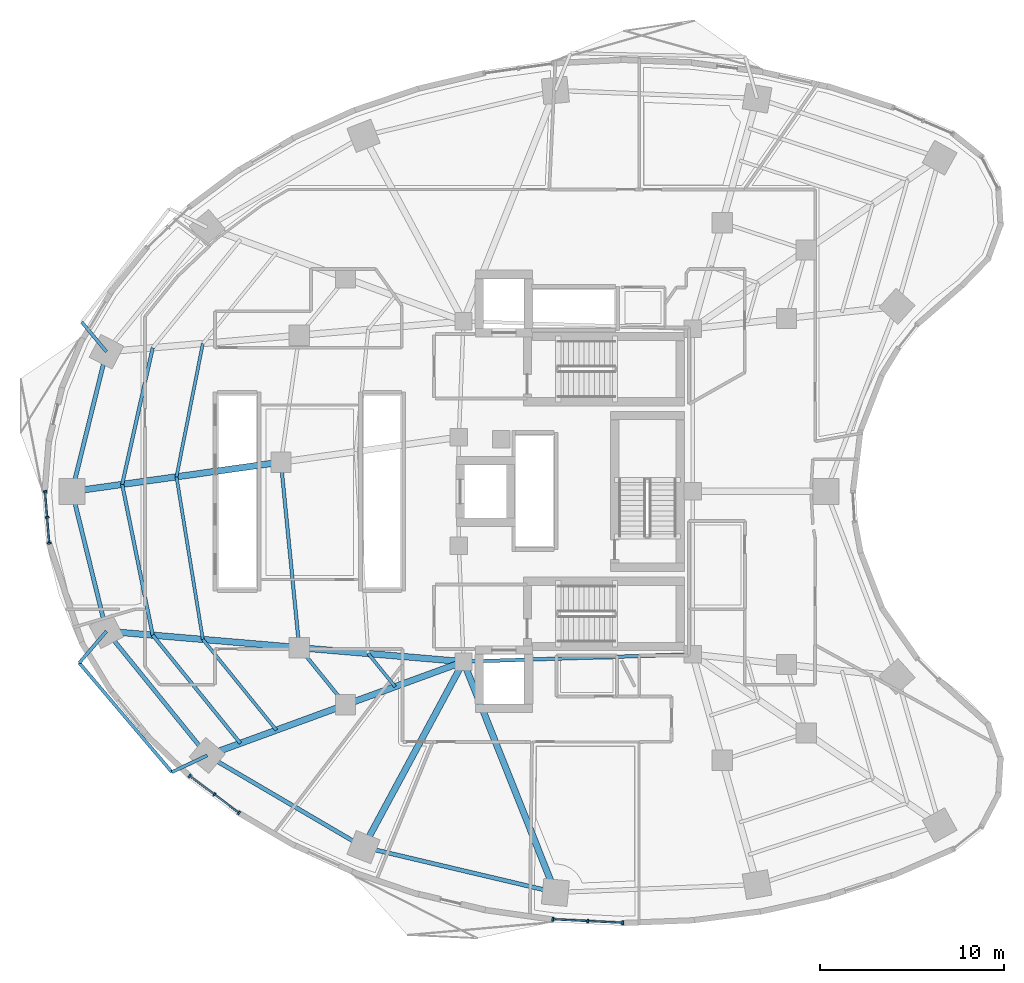
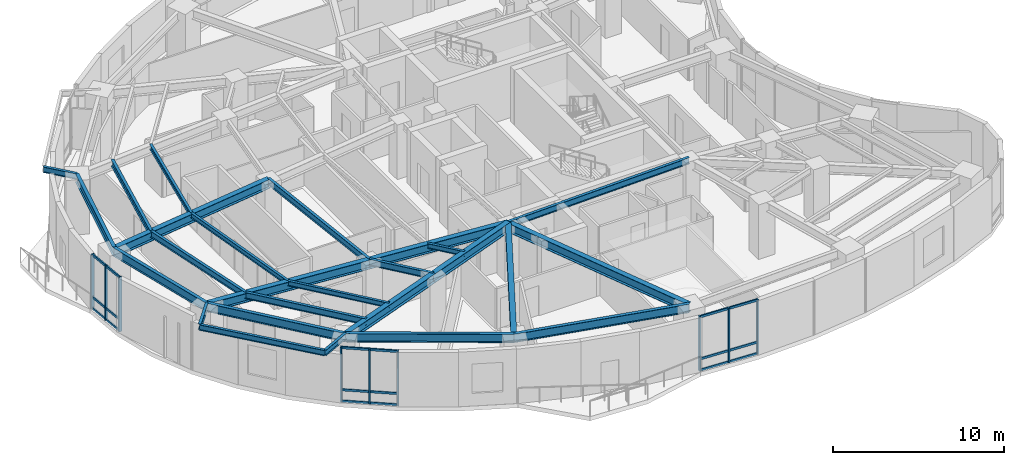
# One storey, part 2 of 15: 27 members, 26 beams, 3 elements without a shape of their own.
"""IFC4 building model written with IfcOpenShell, lengths in metres."""

from ifc_helpers import new_model, si_unit, direction, frame, origin, origin_2d, place, context, subcontext, project, spatial, rectangle, i_section, extrude, material, layer, layer_set, material_profile, profile_set, type_object, element, aggregate, save


model = new_model("IFC4")

# Units and contexts
model_context = context("Model", 3, precision=1e-05, world=origin(), true_north=direction((0.0, 1.0)))
body_context = subcontext(model_context, "Body", "Model", "MODEL_VIEW")
ifc_project = project(units=[si_unit("LENGTHUNIT", "METRE"), si_unit("AREAUNIT", "SQUARE_METRE"), si_unit("VOLUMEUNIT", "CUBIC_METRE"), si_unit("PLANEANGLEUNIT", "RADIAN"), si_unit("MASSUNIT", "GRAM", prefix="KILO")], contexts=[model_context])

# Site, building, storey
site_placement = place(None, origin())
site = spatial("IfcSite", under=ifc_project, at=site_placement, CompositionType="ELEMENT")
building_placement = place(site_placement, origin())
building = spatial("IfcBuilding", under=site, at=building_placement, Name="Korentha Bioscience Tower", CompositionType="ELEMENT")
storey_placement = place(building_placement, frame((0.0, 0.0, 42.60009765625)))
storey = spatial("IfcBuildingStorey", under=building, at=storey_placement, Name="L09", CompositionType="ELEMENT", Elevation=42.60009765625)

# Beams
ifc_material_1 = material(Name="Steel S355", Category="steel")
ifc_material_profile_1 = material_profile(ifc_material_1, i_section(OverallWidth=0.18994140625, OverallDepth=0.45703125, WebThickness=0.009033203125, FlangeThickness=0.014404296875, at=origin_2d()), Name="Steel S355")
ifc_profile_set_1 = profile_set([ifc_material_profile_1], Name="Steel S355 (MB-460)")
beam_type_1 = type_object("IfcBeamType", Name="Mid-Ring Tie Girder W460x74", PredefinedType="BEAM", material=ifc_profile_set_1)
beam_1_placement = place(storey_placement, frame((15.1787109375, 28.593505859375, 3.67138671875), z_axis=(0.098243909277, -0.995162365793, 0.0), x_axis=(0.995162365793, 0.098243909277, 0.0)))
element("IfcBeam", 1, at=beam_1_placement, inside=storey, type_object=beam_type_1, Name="L09 Mid-Ring Tie Girder 07", PredefinedType="BEAM", context=body_context, shape_type="SweptSolid", body=[
    extrude(i_section(OverallWidth=0.18994140625, OverallDepth=0.45703125, WebThickness=0.009033203125, FlangeThickness=0.014404296875, at=origin_2d()), origin(), (0.0, 0.0, 1.0), 10.131591796875),
])
beam_2_placement = place(storey_placement, frame((16.174072265625, 18.510986328125, 3.67138671875), z_axis=(0.629790009744, -0.776765436684, 0.0), x_axis=(0.776765436684, 0.629790009744, 0.0)))
element("IfcBeam", 2, at=beam_2_placement, inside=storey, type_object=beam_type_1, Name="L09 Mid-Ring Tie Girder 08", PredefinedType="BEAM", context=body_context, shape_type="SweptSolid", body=[
    extrude(i_section(OverallWidth=0.18994140625, OverallDepth=0.45703125, WebThickness=0.009033203125, FlangeThickness=0.014404296875, at=origin_2d()), origin(), (0.0, 0.0, 1.0), 3.998291015625),
])
beam_3_placement = place(storey_placement, frame((25.10009765625, 17.75, 3.67138671875), z_axis=(0.999484526071, 0.032104238723, 0.0), x_axis=(-0.032104238723, 0.999484526071, 0.0)))
element("IfcBeam", 3, at=beam_3_placement, inside=storey, type_object=beam_type_1, Name="L09 Core Ring Tie Girder 05", PredefinedType="BEAM", context=body_context, shape_type="SweptSolid", body=[
    extrude(i_section(OverallWidth=0.18994140625, OverallDepth=0.45703125, WebThickness=0.009033203125, FlangeThickness=0.014404296875, at=origin_2d()), origin(), (0.0, 0.0, 1.0), 12.456298828125),
])

# Curtain wall, members
ifc_material_2 = material(Name="Thermally Broken Aluminium Frame", Category="aluminium")
ifc_layer = layer(ifc_material_2, 0.219970703125, Name="Thermally Broken Aluminium Frame")
ifc_layer_set = layer_set([ifc_layer], Name="Thermally Broken Aluminium Frame (CW-T1)")
curtain_wall_type = type_object("IfcCurtainWallType", Name="Standard Bioscience Lab Unitised Curtain Wall CW-T1", PredefinedType="USERDEFINED", material=ifc_layer_set)
curtain_wall_1_placement = place(storey_placement, origin())
curtain_wall_1 = element("IfcCurtainWall", 4, at=curtain_wall_1_placement, inside=storey, type_object=curtain_wall_type, Name="L09 Curtain Wall 19", ObjectType="UNITISED", PredefinedType="USERDEFINED")
ifc_material_3 = material(Name="Anodised Aluminium 6063-T6", Category="aluminium")
ifc_material_profile_2 = material_profile(ifc_material_3, rectangle(XDim=0.090087890625, YDim=0.199951171875, at=origin_2d()), Name="Anodised Aluminium 6063-T6")
ifc_profile_set_2 = profile_set([ifc_material_profile_2], Name="Anodised Aluminium 6063-T6 (CW-MUL)")
member_type_1 = type_object("IfcMemberType", Name="Mullion RECT 90x200", PredefinedType="MULLION", material=ifc_profile_set_2)
member_1_placement = place(storey_placement, frame((2.35986328125, 27.0078125, 0.0), z_axis=(0.0, 0.0, 1.0), x_axis=(0.080820466375, -0.996728675325, 0.0)))
member_1 = element("IfcMember", 5, at=member_1_placement, type_object=member_type_1, Name="CW-L09-19 Mullion 1", PredefinedType="MULLION", context=body_context, shape_type="SweptSolid", body=[
    extrude(rectangle(XDim=0.090087890625, YDim=0.199951171875, at=origin_2d()), origin(), (0.0, 0.0, 1.0), 3.89990234375),
])
member_2_placement = place(storey_placement, frame((2.474365234375, 25.597412109375, 0.0), z_axis=(0.0, 0.0, 1.0), x_axis=(0.080820466375, -0.996728675325, 0.0)))
member_2 = element("IfcMember", 6, at=member_2_placement, type_object=member_type_1, Name="CW-L09-19 Mullion 2", PredefinedType="MULLION", context=body_context, shape_type="SweptSolid", body=[
    extrude(rectangle(XDim=0.090087890625, YDim=0.199951171875, at=origin_2d()), origin(), (0.0, 0.0, 1.0), 3.89990234375),
])
member_3_placement = place(storey_placement, frame((2.588623046875, 24.187255859375, 0.0), z_axis=(0.0, 0.0, 1.0), x_axis=(0.080820466375, -0.996728675325, 0.0)))
member_3 = element("IfcMember", 7, at=member_3_placement, type_object=member_type_1, Name="CW-L09-19 Mullion 3", PredefinedType="MULLION", context=body_context, shape_type="SweptSolid", body=[
    extrude(rectangle(XDim=0.090087890625, YDim=0.199951171875, at=origin_2d()), origin(), (0.0, 0.0, 1.0), 3.89990234375),
])

curtain_wall_2_placement = place(storey_placement, origin())
curtain_wall_2 = element("IfcCurtainWall", 8, at=curtain_wall_2_placement, inside=storey, type_object=curtain_wall_type, Name="L09 Curtain Wall 25", ObjectType="UNITISED", PredefinedType="USERDEFINED")
member_4_placement = place(storey_placement, frame((10.2216796875, 11.538818359375, 0.0), z_axis=(0.0, 0.0, 1.0), x_axis=(0.800797909614, -0.598934644145, 0.0)))
member_4 = element("IfcMember", 9, at=member_4_placement, type_object=member_type_1, Name="CW-L09-25 Mullion 1", PredefinedType="MULLION", context=body_context, shape_type="SweptSolid", body=[
    extrude(rectangle(XDim=0.090087890625, YDim=0.199951171875, at=origin_2d()), origin(), (0.0, 0.0, 1.0), 3.89990234375),
])
member_5_placement = place(storey_placement, frame((11.5634765625, 10.53515625, 0.0), z_axis=(0.0, 0.0, 1.0), x_axis=(0.800797909614, -0.598934644145, 0.0)))
member_5 = element("IfcMember", 10, at=member_5_placement, type_object=member_type_1, Name="CW-L09-25 Mullion 2", PredefinedType="MULLION", context=body_context, shape_type="SweptSolid", body=[
    extrude(rectangle(XDim=0.090087890625, YDim=0.199951171875, at=origin_2d()), origin(), (0.0, 0.0, 1.0), 3.89990234375),
])
member_6_placement = place(storey_placement, frame((12.9052734375, 9.53173828125, 0.0), z_axis=(0.0, 0.0, 1.0), x_axis=(0.800797909614, -0.598934644145, 0.0)))
member_6 = element("IfcMember", 11, at=member_6_placement, type_object=member_type_1, Name="CW-L09-25 Mullion 3", PredefinedType="MULLION", context=body_context, shape_type="SweptSolid", body=[
    extrude(rectangle(XDim=0.090087890625, YDim=0.199951171875, at=origin_2d()), origin(), (0.0, 0.0, 1.0), 3.89990234375),
])

curtain_wall_3_placement = place(storey_placement, origin())
curtain_wall_3 = element("IfcCurtainWall", 12, at=curtain_wall_3_placement, inside=storey, type_object=curtain_wall_type, Name="L09 Curtain Wall 31", ObjectType="UNITISED", PredefinedType="USERDEFINED")
member_7_placement = place(storey_placement, frame((29.9541015625, 3.75244140625, 0.0), z_axis=(0.0, 0.0, 1.0), x_axis=(0.998730551641, -0.050371472279, 0.0)))
member_7 = element("IfcMember", 13, at=member_7_placement, type_object=member_type_1, Name="CW-L09-31 Mullion 1", PredefinedType="MULLION", context=body_context, shape_type="SweptSolid", body=[
    extrude(rectangle(XDim=0.090087890625, YDim=0.199951171875, at=origin_2d()), origin(), (0.0, 0.0, 1.0), 3.89990234375),
])
member_8_placement = place(storey_placement, frame((31.855224609375, 3.656494140625, 0.0), z_axis=(0.0, 0.0, 1.0), x_axis=(0.998730551641, -0.050371472279, 0.0)))
member_8 = element("IfcMember", 14, at=member_8_placement, type_object=member_type_1, Name="CW-L09-31 Mullion 2", PredefinedType="MULLION", context=body_context, shape_type="SweptSolid", body=[
    extrude(rectangle(XDim=0.090087890625, YDim=0.199951171875, at=origin_2d()), origin(), (0.0, 0.0, 1.0), 3.89990234375),
])
member_9_placement = place(storey_placement, frame((33.75634765625, 3.560791015625, 0.0), z_axis=(0.0, 0.0, 1.0), x_axis=(0.998730551641, -0.050371472279, 0.0)))
member_9 = element("IfcMember", 15, at=member_9_placement, type_object=member_type_1, Name="CW-L09-31 Mullion 3", PredefinedType="MULLION", context=body_context, shape_type="SweptSolid", body=[
    extrude(rectangle(XDim=0.090087890625, YDim=0.199951171875, at=origin_2d()), origin(), (0.0, 0.0, 1.0), 3.89990234375),
])

# Beams
ifc_material_profile_3 = material_profile(ifc_material_1, i_section(OverallWidth=0.22802734375, OverallDepth=0.60791015625, WebThickness=0.01123046875, FlangeThickness=0.017333984375, at=origin_2d()), Name="Steel S355")
ifc_profile_set_3 = profile_set([ifc_material_profile_3], Name="Steel S355 (SB-610)")
beam_type_2 = type_object("IfcBeamType", Name="Perimeter Ring Spandrel Girder W610x113", PredefinedType="SPANDREL", material=ifc_profile_set_3)
beam_4_placement = place(storey_placement, frame((5.69580078125, 34.595703125, 3.595947265625), z_axis=(-0.239119105624, -0.970990243682, 0.0), x_axis=(0.970990243682, -0.239119105624, 0.0)))
element("IfcBeam", 16, at=beam_4_placement, inside=storey, type_object=beam_type_2, Name="L09 Perimeter Spandrel Girder 06", PredefinedType="SPANDREL", context=body_context, shape_type="SweptSolid", body=[
    extrude(i_section(OverallWidth=0.22802734375, OverallDepth=0.60791015625, WebThickness=0.01123046875, FlangeThickness=0.017333984375, at=origin_2d()), origin(), (0.0, 0.0, 1.0), 7.82177734375),
])
beam_5_placement = place(storey_placement, frame((3.825439453125, 27.000732421875, 3.595947265625), z_axis=(0.23907563132, -0.971000948768, 0.0), x_axis=(0.971000948768, 0.23907563132, 0.0)))
element("IfcBeam", 17, at=beam_5_placement, inside=storey, type_object=beam_type_2, Name="L09 Perimeter Spandrel Girder 07", PredefinedType="SPANDREL", context=body_context, shape_type="SweptSolid", body=[
    extrude(i_section(OverallWidth=0.22802734375, OverallDepth=0.60791015625, WebThickness=0.01123046875, FlangeThickness=0.017333984375, at=origin_2d()), origin(), (0.0, 0.0, 1.0), 7.8232421875),
])
beam_6_placement = place(storey_placement, frame((5.69580078125, 19.404296875, 3.595947265625), z_axis=(0.629799210231, -0.776757976974, 0.0), x_axis=(0.776757976974, 0.629799210231, 0.0)))
element("IfcBeam", 18, at=beam_6_placement, inside=storey, type_object=beam_type_2, Name="L09 Perimeter Spandrel Girder 08", PredefinedType="SPANDREL", context=body_context, shape_type="SweptSolid", body=[
    extrude(i_section(OverallWidth=0.22802734375, OverallDepth=0.60791015625, WebThickness=0.01123046875, FlangeThickness=0.017333984375, at=origin_2d()), origin(), (0.0, 0.0, 1.0), 8.69189453125),
])
beam_7_placement = place(storey_placement, frame((11.169921875, 12.65283203125, 3.595947265625), z_axis=(0.862656574181, -0.505790109653, 0.0), x_axis=(0.505790109653, 0.862656574181, 0.0)))
element("IfcBeam", 19, at=beam_7_placement, inside=storey, type_object=beam_type_2, Name="L09 Perimeter Spandrel Girder 09", PredefinedType="SPANDREL", context=body_context, shape_type="SweptSolid", body=[
    extrude(i_section(OverallWidth=0.22802734375, OverallDepth=0.60791015625, WebThickness=0.01123046875, FlangeThickness=0.017333984375, at=origin_2d()), origin(), (0.0, 0.0, 1.0), 9.849365234375),
])
beam_8_placement = place(storey_placement, frame((19.66650390625, 7.671142578125, 3.595947265625), z_axis=(0.973207885376, -0.229926970672, 0.0), x_axis=(0.229926970672, 0.973207885376, 0.0)))
element("IfcBeam", 20, at=beam_8_placement, inside=storey, type_object=beam_type_2, Name="L09 Perimeter Spandrel Girder 10", PredefinedType="SPANDREL", context=body_context, shape_type="SweptSolid", body=[
    extrude(i_section(OverallWidth=0.22802734375, OverallDepth=0.60791015625, WebThickness=0.01123046875, FlangeThickness=0.017333984375, at=origin_2d()), origin(), (0.0, 0.0, 1.0), 10.71484375),
])
ifc_material_profile_4 = material_profile(ifc_material_1, i_section(OverallWidth=0.18994140625, OverallDepth=0.45703125, WebThickness=0.009033203125, FlangeThickness=0.014404296875, at=origin_2d()), Name="Steel S355")
ifc_profile_set_4 = profile_set([ifc_material_profile_4], Name="Steel S355 (RB-460)")
beam_type_3 = type_object("IfcBeamType", Name="Radial Laboratory Beam W460x74", PredefinedType="BEAM", material=ifc_profile_set_4)
beam_9_placement = place(storey_placement, frame((8.21044921875, 34.81005859375, 3.67138671875), z_axis=(-0.218146323162, -0.975916073077, 0.0), x_axis=(0.975916073077, -0.218146323162, 0.0)))
element("IfcBeam", 21, at=beam_9_placement, inside=storey, type_object=beam_type_3, Name="L09 Secondary Floor Beam JSTO-06", PredefinedType="BEAM", context=body_context, shape_type="SweptSolid", body=[
    extrude(i_section(OverallWidth=0.18994140625, OverallDepth=0.45703125, WebThickness=0.009033203125, FlangeThickness=0.014404296875, at=origin_2d()), origin(), (0.0, 0.0, 1.0), 7.6103515625),
])
beam_10_placement = place(storey_placement, frame((6.55029296875, 27.383056640625, 3.67138671875), z_axis=(0.198592296955, -0.980082190222, 0.0), x_axis=(0.980082190222, 0.198592296955, 0.0)))
element("IfcBeam", 22, at=beam_10_placement, inside=storey, type_object=beam_type_3, Name="L09 Secondary Floor Beam JSTO-07", PredefinedType="BEAM", context=body_context, shape_type="SweptSolid", body=[
    extrude(i_section(OverallWidth=0.18994140625, OverallDepth=0.45703125, WebThickness=0.009033203125, FlangeThickness=0.014404296875, at=origin_2d()), origin(), (0.0, 0.0, 1.0), 8.359619140625),
])
beam_11_placement = place(storey_placement, frame((8.21044921875, 19.18994140625, 3.67138671875), z_axis=(0.629797748553, -0.776759162107, 0.0), x_axis=(0.776759162107, 0.629797748553, 0.0)))
element("IfcBeam", 23, at=beam_11_placement, inside=storey, type_object=beam_type_3, Name="L09 Secondary Floor Beam JSTO-08", PredefinedType="BEAM", context=body_context, shape_type="SweptSolid", body=[
    extrude(i_section(OverallWidth=0.18994140625, OverallDepth=0.45703125, WebThickness=0.009033203125, FlangeThickness=0.014404296875, at=origin_2d()), origin(), (0.0, 0.0, 1.0), 7.5654296875),
])
ifc_material_profile_5 = material_profile(ifc_material_1, i_section(OverallWidth=0.35009765625, OverallDepth=0.64990234375, WebThickness=0.01611328125, FlangeThickness=0.02490234375, at=origin_2d()), Name="Steel S355")
ifc_profile_set_5 = profile_set([ifc_material_profile_5], Name="Steel S355 (RB-650)")
beam_type_4 = type_object("IfcBeamType", Name="Radial Laboratory Girder CVS 650x208", PredefinedType="BEAM", material=ifc_profile_set_5)
beam_12_placement = place(storey_placement, frame((15.1787109375, 28.593505859375, 3.574951171875), z_axis=(-0.99030199745, -0.138931471762, 0.0), x_axis=(0.138931471762, -0.99030199745, 0.0)))
element("IfcBeam", 24, at=beam_12_placement, inside=storey, type_object=beam_type_4, Name="L09 Outer Radial Girder 07", PredefinedType="BEAM", context=body_context, shape_type="SweptSolid", body=[
    extrude(i_section(OverallWidth=0.35009765625, OverallDepth=0.64990234375, WebThickness=0.01611328125, FlangeThickness=0.02490234375, at=origin_2d()), origin(), (0.0, 0.0, 1.0), 11.46435546875),
])
beam_13_placement = place(storey_placement, frame((25.10009765625, 17.75, 3.574951171875), z_axis=(-0.996385503026, 0.08494662654, 0.0), x_axis=(-0.08494662654, -0.996385503026, 0.0)))
element("IfcBeam", 25, at=beam_13_placement, inside=storey, type_object=beam_type_4, Name="L09 Inner Radial Girder 08", PredefinedType="BEAM", context=body_context, shape_type="SweptSolid", body=[
    extrude(i_section(OverallWidth=0.35009765625, OverallDepth=0.64990234375, WebThickness=0.01611328125, FlangeThickness=0.02490234375, at=origin_2d()), origin(), (0.0, 0.0, 1.0), 8.95849609375),
])
beam_14_placement = place(storey_placement, frame((16.174072265625, 18.510986328125, 3.574951171875), z_axis=(-0.996385601055, 0.084945476695, 0.0), x_axis=(-0.084945476695, -0.996385601055, 0.0)))
element("IfcBeam", 26, at=beam_14_placement, inside=storey, type_object=beam_type_4, Name="L09 Outer Radial Girder 08", PredefinedType="BEAM", context=body_context, shape_type="SweptSolid", body=[
    extrude(i_section(OverallWidth=0.35009765625, OverallDepth=0.64990234375, WebThickness=0.01611328125, FlangeThickness=0.02490234375, at=origin_2d()), origin(), (0.0, 0.0, 1.0), 10.516357421875),
])
beam_15_placement = place(storey_placement, frame((25.10009765625, 17.75, 3.574951171875), z_axis=(-0.939106237741, -0.343626940498, 0.0), x_axis=(0.343626940498, -0.939106237741, 0.0)))
element("IfcBeam", 27, at=beam_15_placement, inside=storey, type_object=beam_type_4, Name="L09 Inner Radial Girder 09", PredefinedType="BEAM", context=body_context, shape_type="SweptSolid", body=[
    extrude(i_section(OverallWidth=0.35009765625, OverallDepth=0.64990234375, WebThickness=0.01611328125, FlangeThickness=0.02490234375, at=origin_2d()), origin(), (0.0, 0.0, 1.0), 6.823486328125),
])
beam_16_placement = place(storey_placement, frame((18.692138671875, 15.4052734375, 3.574951171875), z_axis=(-0.939106299948, -0.343626770491, 0.0), x_axis=(0.343626770491, -0.939106299948, 0.0)))
element("IfcBeam", 28, at=beam_16_placement, inside=storey, type_object=beam_type_4, Name="L09 Outer Radial Girder 09", PredefinedType="BEAM", context=body_context, shape_type="SweptSolid", body=[
    extrude(i_section(OverallWidth=0.35009765625, OverallDepth=0.64990234375, WebThickness=0.01611328125, FlangeThickness=0.02490234375, at=origin_2d()), origin(), (0.0, 0.0, 1.0), 8.010009765625),
])
beam_17_placement = place(storey_placement, frame((25.10009765625, 17.75, 3.574951171875), z_axis=(-0.47454097106, -0.880233416081, 0.0), x_axis=(0.880233416081, -0.47454097106, 0.0)))
element("IfcBeam", 29, at=beam_17_placement, inside=storey, type_object=beam_type_4, Name="L09 Radial Girder 10", PredefinedType="BEAM", context=body_context, shape_type="SweptSolid", body=[
    extrude(i_section(OverallWidth=0.35009765625, OverallDepth=0.64990234375, WebThickness=0.01611328125, FlangeThickness=0.02490234375, at=origin_2d()), origin(), (0.0, 0.0, 1.0), 11.4501953125),
])
beam_18_placement = place(storey_placement, frame((25.10009765625, 17.75, 3.574951171875), z_axis=(0.369931007413, -0.929059228335, 0.0), x_axis=(0.929059228335, 0.369931007413, 0.0)))
element("IfcBeam", 30, at=beam_18_placement, inside=storey, type_object=beam_type_4, Name="L09 Radial Girder 11", PredefinedType="BEAM", context=body_context, shape_type="SweptSolid", body=[
    extrude(i_section(OverallWidth=0.35009765625, OverallDepth=0.64990234375, WebThickness=0.01611328125, FlangeThickness=0.02490234375, at=origin_2d()), origin(), (0.0, 0.0, 1.0), 13.500244140625),
])
ifc_material_profile_6 = material_profile(ifc_material_1, i_section(OverallWidth=0.1708984375, OverallDepth=0.35498046875, WebThickness=0.007080078125, FlangeThickness=0.01171875, at=origin_2d()), Name="Steel S355")
ifc_profile_set_6 = profile_set([ifc_material_profile_6], Name="Steel S355 (JB-360)")
beam_type_5 = type_object("IfcBeamType", Name="Secondary Laboratory Joist W360x51", PredefinedType="JOIST", material=ifc_profile_set_6)
beam_19_placement = place(storey_placement, frame((10.934814453125, 35.042236328125, 3.722412109375), z_axis=(-0.193979665978, -0.981005550029, 0.0), x_axis=(0.981005550029, -0.193979665978, 0.0)))
element("IfcBeam", 31, at=beam_19_placement, inside=storey, type_object=beam_type_5, Name="L09 Secondary Floor Beam JST-06", PredefinedType="JOIST", context=body_context, shape_type="SweptSolid", body=[
    extrude(i_section(OverallWidth=0.1708984375, OverallDepth=0.35498046875, WebThickness=0.007080078125, FlangeThickness=0.01171875, at=origin_2d()), origin(), (0.0, 0.0, 1.0), 7.385498046875),
])
beam_20_placement = place(storey_placement, frame((9.502197265625, 27.797119140625, 3.722412109375), z_axis=(0.159984999905, -0.987119445561, 0.0), x_axis=(0.987119445561, 0.159984999905, 0.0)))
element("IfcBeam", 32, at=beam_20_placement, inside=storey, type_object=beam_type_5, Name="L09 Secondary Floor Beam JST-07", PredefinedType="JOIST", context=body_context, shape_type="SweptSolid", body=[
    extrude(i_section(OverallWidth=0.1708984375, OverallDepth=0.35498046875, WebThickness=0.007080078125, FlangeThickness=0.01171875, at=origin_2d()), origin(), (0.0, 0.0, 1.0), 8.95458984375),
])
beam_21_placement = place(storey_placement, frame((10.934814453125, 18.957763671875, 3.722412109375), z_axis=(0.629786899984, -0.776767958021, 0.0), x_axis=(0.776767958021, 0.629786899984, 0.0)))
element("IfcBeam", 33, at=beam_21_placement, inside=storey, type_object=beam_type_5, Name="L09 Secondary Floor Beam JST-08", PredefinedType="JOIST", context=body_context, shape_type="SweptSolid", body=[
    extrude(i_section(OverallWidth=0.1708984375, OverallDepth=0.35498046875, WebThickness=0.007080078125, FlangeThickness=0.01171875, at=origin_2d()), origin(), (0.0, 0.0, 1.0), 6.34521484375),
])
beam_22_placement = place(storey_placement, frame((19.9228515625, 18.19140625, 3.722412109375), z_axis=(0.629791657613, -0.776764100613, 0.0), x_axis=(0.776764100613, 0.629791657613, 0.0)))
element("IfcBeam", 34, at=beam_22_placement, inside=storey, type_object=beam_type_5, Name="L09 Inner Bay Joist 08", PredefinedType="JOIST", context=body_context, shape_type="SweptSolid", body=[
    extrude(i_section(OverallWidth=0.1708984375, OverallDepth=0.35498046875, WebThickness=0.007080078125, FlangeThickness=0.01171875, at=origin_2d()), origin(), (0.0, 0.0, 1.0), 2.31884765625),
])
ifc_material_profile_7 = material_profile(ifc_material_1, i_section(OverallWidth=0.177978515625, OverallDepth=0.406982421875, WebThickness=0.0078125, FlangeThickness=0.0126953125, at=origin_2d()), Name="Steel S355")
ifc_profile_set_7 = profile_set([ifc_material_profile_7], Name="Steel S355 (CB-410)")
beam_type_6 = type_object("IfcBeamType", Name="Sun-Ledge Cantilever Beam W410x60", PredefinedType="BEAM", material=ifc_profile_set_7)
beam_23_placement = place(storey_placement, frame((5.69580078125, 34.595703125, 3.698486328125), z_axis=(-0.640333447696, 0.768097048401, 0.0), x_axis=(-0.768097048401, -0.640333447696, 0.0)))
element("IfcBeam", 35, at=beam_23_placement, inside=storey, type_object=beam_type_6, Name="L09 Balcony Cantilever Bracket B-L10-02", PredefinedType="BEAM", context=body_context, shape_type="SweptSolid", body=[
    extrude(i_section(OverallWidth=0.177978515625, OverallDepth=0.406982421875, WebThickness=0.0078125, FlangeThickness=0.0126953125, at=origin_2d()), origin(), (0.0, 0.0, 1.0), 2.09423828125),
])
beam_24_placement = place(storey_placement, frame((5.69580078125, 19.404296875, 3.698486328125), z_axis=(-0.651766743288, -0.758419483099, 0.0), x_axis=(0.758419483099, -0.651766743288, 0.0)))
element("IfcBeam", 36, at=beam_24_placement, inside=storey, type_object=beam_type_6, Name="L09 Balcony Cantilever Bracket A-L10-03", PredefinedType="BEAM", context=body_context, shape_type="SweptSolid", body=[
    extrude(i_section(OverallWidth=0.177978515625, OverallDepth=0.406982421875, WebThickness=0.0078125, FlangeThickness=0.0126953125, at=origin_2d()), origin(), (0.0, 0.0, 1.0), 2.26611328125),
])
beam_25_placement = place(storey_placement, frame((11.169921875, 12.65283203125, 3.698486328125), z_axis=(-0.903735494396, -0.428091294199, 0.0), x_axis=(0.428091294199, -0.903735494396, 0.0)))
element("IfcBeam", 37, at=beam_25_placement, inside=storey, type_object=beam_type_6, Name="L09 Balcony Cantilever Bracket B-L10-03", PredefinedType="BEAM", context=body_context, shape_type="SweptSolid", body=[
    extrude(i_section(OverallWidth=0.177978515625, OverallDepth=0.406982421875, WebThickness=0.0078125, FlangeThickness=0.0126953125, at=origin_2d()), origin(), (0.0, 0.0, 1.0), 2.120361328125),
])
beam_26_placement = place(storey_placement, frame((4.21875, 17.685546875, 3.698486328125), z_axis=(0.646570249962, -0.762854449987, 0.0), x_axis=(0.762854449987, 0.646570249962, 0.0)))
element("IfcBeam", 38, at=beam_26_placement, inside=storey, type_object=beam_type_6, Name="L09 Balcony Edge Trimmer Beam L10-03", PredefinedType="BEAM", context=body_context, shape_type="SweptSolid", body=[
    extrude(i_section(OverallWidth=0.177978515625, OverallDepth=0.406982421875, WebThickness=0.0078125, FlangeThickness=0.0126953125, at=origin_2d()), origin(), (0.0, 0.0, 1.0), 7.787109375),
])

# Member
ifc_material_profile_8 = material_profile(ifc_material_3, rectangle(XDim=0.090087890625, YDim=0.159912109375, at=origin_2d()), Name="Anodised Aluminium 6063-T6")
ifc_profile_set_8 = profile_set([ifc_material_profile_8], Name="Anodised Aluminium 6063-T6 (CW-TRN)")
member_type_2 = type_object("IfcMemberType", Name="Transom RECT 90x160", PredefinedType="USERDEFINED", material=ifc_profile_set_8)
member_10_placement = place(storey_placement, frame((2.363525390625, 26.963134765625, 0.044921875), z_axis=(0.080880177847, -0.996723831777, 0.0), x_axis=(0.996723831777, 0.080880177847, 0.0)))
member_10 = element("IfcMember", 39, at=member_10_placement, type_object=member_type_2, Name="CW-L09-19 Bay 1 Transom 1", ObjectType="TRANSOM", PredefinedType="USERDEFINED", context=body_context, shape_type="SweptSolid", body=[
    extrude(rectangle(XDim=0.090087890625, YDim=0.159912109375, at=origin_2d()), origin(), (0.0, 0.0, 1.0), 1.3251953125),
])

member_11_placement = place(storey_placement, frame((2.363525390625, 26.963134765625, 0.849853515625), z_axis=(0.080880177847, -0.996723831777, 0.0), x_axis=(0.996723831777, 0.080880177847, 0.0)))
member_11 = element("IfcMember", 40, at=member_11_placement, type_object=member_type_2, Name="CW-L09-19 Bay 1 Transom 2", ObjectType="TRANSOM", PredefinedType="USERDEFINED", context=body_context, shape_type="SweptSolid", body=[
    extrude(rectangle(XDim=0.090087890625, YDim=0.159912109375, at=origin_2d()), origin(), (0.0, 0.0, 1.0), 1.3251953125),
])

member_12_placement = place(storey_placement, frame((2.363525390625, 26.963134765625, 3.85498046875), z_axis=(0.080880177847, -0.996723831777, 0.0), x_axis=(0.996723831777, 0.080880177847, 0.0)))
member_12 = element("IfcMember", 41, at=member_12_placement, type_object=member_type_2, Name="CW-L09-19 Bay 1 Transom 3", ObjectType="TRANSOM", PredefinedType="USERDEFINED", context=body_context, shape_type="SweptSolid", body=[
    extrude(rectangle(XDim=0.090087890625, YDim=0.159912109375, at=origin_2d()), origin(), (0.0, 0.0, 1.0), 1.3251953125),
])

member_13_placement = place(storey_placement, frame((2.477783203125, 25.552734375, 0.044921875), z_axis=(0.080880177847, -0.996723831777, 0.0), x_axis=(0.996723831777, 0.080880177847, 0.0)))
member_13 = element("IfcMember", 42, at=member_13_placement, type_object=member_type_2, Name="CW-L09-19 Bay 2 Transom 1", ObjectType="TRANSOM", PredefinedType="USERDEFINED", context=body_context, shape_type="SweptSolid", body=[
    extrude(rectangle(XDim=0.090087890625, YDim=0.159912109375, at=origin_2d()), origin(), (0.0, 0.0, 1.0), 1.3251953125),
])

member_14_placement = place(storey_placement, frame((2.477783203125, 25.552734375, 0.849853515625), z_axis=(0.080880177847, -0.996723831777, 0.0), x_axis=(0.996723831777, 0.080880177847, 0.0)))
member_14 = element("IfcMember", 43, at=member_14_placement, type_object=member_type_2, Name="CW-L09-19 Bay 2 Transom 2", ObjectType="TRANSOM", PredefinedType="USERDEFINED", context=body_context, shape_type="SweptSolid", body=[
    extrude(rectangle(XDim=0.090087890625, YDim=0.159912109375, at=origin_2d()), origin(), (0.0, 0.0, 1.0), 1.3251953125),
])

member_15_placement = place(storey_placement, frame((2.477783203125, 25.552734375, 3.85498046875), z_axis=(0.080880177847, -0.996723831777, 0.0), x_axis=(0.996723831777, 0.080880177847, 0.0)))
member_15 = element("IfcMember", 44, at=member_15_placement, type_object=member_type_2, Name="CW-L09-19 Bay 2 Transom 3", ObjectType="TRANSOM", PredefinedType="USERDEFINED", context=body_context, shape_type="SweptSolid", body=[
    extrude(rectangle(XDim=0.090087890625, YDim=0.159912109375, at=origin_2d()), origin(), (0.0, 0.0, 1.0), 1.3251953125),
])

aggregate(curtain_wall_1, [member_1, member_2, member_3, member_10, member_11, member_12, member_13, member_14, member_15])

member_16_placement = place(storey_placement, frame((10.2578125, 11.51171875, 0.044921875), z_axis=(0.8008676283, -0.598841416354, 0.0), x_axis=(0.598841416354, 0.8008676283, 0.0)))
member_16 = element("IfcMember", 45, at=member_16_placement, type_object=member_type_2, Name="CW-L09-25 Bay 1 Transom 1", ObjectType="TRANSOM", PredefinedType="USERDEFINED", context=body_context, shape_type="SweptSolid", body=[
    extrude(rectangle(XDim=0.090087890625, YDim=0.159912109375, at=origin_2d()), origin(), (0.0, 0.0, 1.0), 1.58544921875),
])

member_17_placement = place(storey_placement, frame((10.2578125, 11.51171875, 0.849853515625), z_axis=(0.8008676283, -0.598841416354, 0.0), x_axis=(0.598841416354, 0.8008676283, 0.0)))
member_17 = element("IfcMember", 46, at=member_17_placement, type_object=member_type_2, Name="CW-L09-25 Bay 1 Transom 2", ObjectType="TRANSOM", PredefinedType="USERDEFINED", context=body_context, shape_type="SweptSolid", body=[
    extrude(rectangle(XDim=0.090087890625, YDim=0.159912109375, at=origin_2d()), origin(), (0.0, 0.0, 1.0), 1.58544921875),
])

member_18_placement = place(storey_placement, frame((10.2578125, 11.51171875, 3.85498046875), z_axis=(0.8008676283, -0.598841416354, 0.0), x_axis=(0.598841416354, 0.8008676283, 0.0)))
member_18 = element("IfcMember", 47, at=member_18_placement, type_object=member_type_2, Name="CW-L09-25 Bay 1 Transom 3", ObjectType="TRANSOM", PredefinedType="USERDEFINED", context=body_context, shape_type="SweptSolid", body=[
    extrude(rectangle(XDim=0.090087890625, YDim=0.159912109375, at=origin_2d()), origin(), (0.0, 0.0, 1.0), 1.58544921875),
])

member_19_placement = place(storey_placement, frame((11.599609375, 10.50830078125, 0.044921875), z_axis=(0.800738536228, -0.59901402037, 0.0), x_axis=(0.59901402037, 0.800738536228, 0.0)))
member_19 = element("IfcMember", 48, at=member_19_placement, type_object=member_type_2, Name="CW-L09-25 Bay 2 Transom 1", ObjectType="TRANSOM", PredefinedType="USERDEFINED", context=body_context, shape_type="SweptSolid", body=[
    extrude(rectangle(XDim=0.090087890625, YDim=0.159912109375, at=origin_2d()), origin(), (0.0, 0.0, 1.0), 1.58544921875),
])

member_20_placement = place(storey_placement, frame((11.599609375, 10.50830078125, 0.849853515625), z_axis=(0.800738536228, -0.59901402037, 0.0), x_axis=(0.59901402037, 0.800738536228, 0.0)))
member_20 = element("IfcMember", 49, at=member_20_placement, type_object=member_type_2, Name="CW-L09-25 Bay 2 Transom 2", ObjectType="TRANSOM", PredefinedType="USERDEFINED", context=body_context, shape_type="SweptSolid", body=[
    extrude(rectangle(XDim=0.090087890625, YDim=0.159912109375, at=origin_2d()), origin(), (0.0, 0.0, 1.0), 1.58544921875),
])

member_21_placement = place(storey_placement, frame((11.599609375, 10.50830078125, 3.85498046875), z_axis=(0.800738536228, -0.59901402037, 0.0), x_axis=(0.59901402037, 0.800738536228, 0.0)))
member_21 = element("IfcMember", 50, at=member_21_placement, type_object=member_type_2, Name="CW-L09-25 Bay 2 Transom 3", ObjectType="TRANSOM", PredefinedType="USERDEFINED", context=body_context, shape_type="SweptSolid", body=[
    extrude(rectangle(XDim=0.090087890625, YDim=0.159912109375, at=origin_2d()), origin(), (0.0, 0.0, 1.0), 1.58544921875),
])

aggregate(curtain_wall_2, [member_4, member_5, member_6, member_16, member_17, member_18, member_19, member_20, member_21])

member_22_placement = place(storey_placement, frame((29.9990234375, 3.750244140625, 0.044921875), z_axis=(0.998731776836, -0.050347174085, 0.0), x_axis=(0.050347174085, 0.998731776836, 0.0)))
member_22 = element("IfcMember", 51, at=member_22_placement, type_object=member_type_2, Name="CW-L09-31 Bay 1 Transom 1", ObjectType="TRANSOM", PredefinedType="USERDEFINED", context=body_context, shape_type="SweptSolid", body=[
    extrude(rectangle(XDim=0.090087890625, YDim=0.159912109375, at=origin_2d()), origin(), (0.0, 0.0, 1.0), 1.8134765625),
])

member_23_placement = place(storey_placement, frame((29.9990234375, 3.750244140625, 0.849853515625), z_axis=(0.998731776836, -0.050347174085, 0.0), x_axis=(0.050347174085, 0.998731776836, 0.0)))
member_23 = element("IfcMember", 52, at=member_23_placement, type_object=member_type_2, Name="CW-L09-31 Bay 1 Transom 2", ObjectType="TRANSOM", PredefinedType="USERDEFINED", context=body_context, shape_type="SweptSolid", body=[
    extrude(rectangle(XDim=0.090087890625, YDim=0.159912109375, at=origin_2d()), origin(), (0.0, 0.0, 1.0), 1.8134765625),
])

member_24_placement = place(storey_placement, frame((29.9990234375, 3.750244140625, 3.85498046875), z_axis=(0.998731776836, -0.050347174085, 0.0), x_axis=(0.050347174085, 0.998731776836, 0.0)))
member_24 = element("IfcMember", 53, at=member_24_placement, type_object=member_type_2, Name="CW-L09-31 Bay 1 Transom 3", ObjectType="TRANSOM", PredefinedType="USERDEFINED", context=body_context, shape_type="SweptSolid", body=[
    extrude(rectangle(XDim=0.090087890625, YDim=0.159912109375, at=origin_2d()), origin(), (0.0, 0.0, 1.0), 1.8134765625),
])

member_25_placement = place(storey_placement, frame((31.900146484375, 3.654296875, 0.044921875), z_axis=(0.998731776836, -0.050347174085, 0.0), x_axis=(0.050347174085, 0.998731776836, 0.0)))
member_25 = element("IfcMember", 54, at=member_25_placement, type_object=member_type_2, Name="CW-L09-31 Bay 2 Transom 1", ObjectType="TRANSOM", PredefinedType="USERDEFINED", context=body_context, shape_type="SweptSolid", body=[
    extrude(rectangle(XDim=0.090087890625, YDim=0.159912109375, at=origin_2d()), origin(), (0.0, 0.0, 1.0), 1.8134765625),
])

member_26_placement = place(storey_placement, frame((31.900146484375, 3.654296875, 0.849853515625), z_axis=(0.998731776836, -0.050347174085, 0.0), x_axis=(0.050347174085, 0.998731776836, 0.0)))
member_26 = element("IfcMember", 55, at=member_26_placement, type_object=member_type_2, Name="CW-L09-31 Bay 2 Transom 2", ObjectType="TRANSOM", PredefinedType="USERDEFINED", context=body_context, shape_type="SweptSolid", body=[
    extrude(rectangle(XDim=0.090087890625, YDim=0.159912109375, at=origin_2d()), origin(), (0.0, 0.0, 1.0), 1.8134765625),
])

member_27_placement = place(storey_placement, frame((31.900146484375, 3.654296875, 3.85498046875), z_axis=(0.998731776836, -0.050347174085, 0.0), x_axis=(0.050347174085, 0.998731776836, 0.0)))
member_27 = element("IfcMember", 56, at=member_27_placement, type_object=member_type_2, Name="CW-L09-31 Bay 2 Transom 3", ObjectType="TRANSOM", PredefinedType="USERDEFINED", context=body_context, shape_type="SweptSolid", body=[
    extrude(rectangle(XDim=0.090087890625, YDim=0.159912109375, at=origin_2d()), origin(), (0.0, 0.0, 1.0), 1.8134765625),
])

aggregate(curtain_wall_3, [member_7, member_8, member_9, member_22, member_23, member_24, member_25, member_26, member_27])

save(model, "model.ifc")
